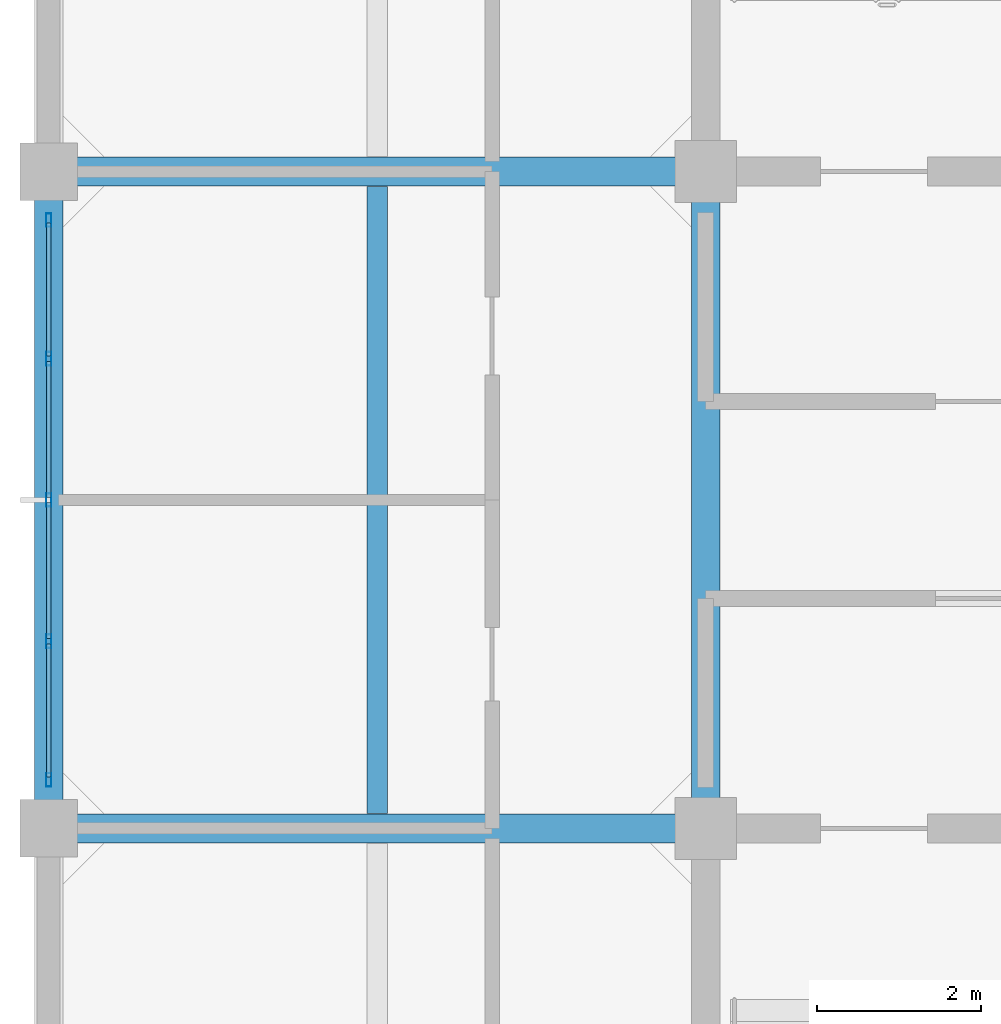
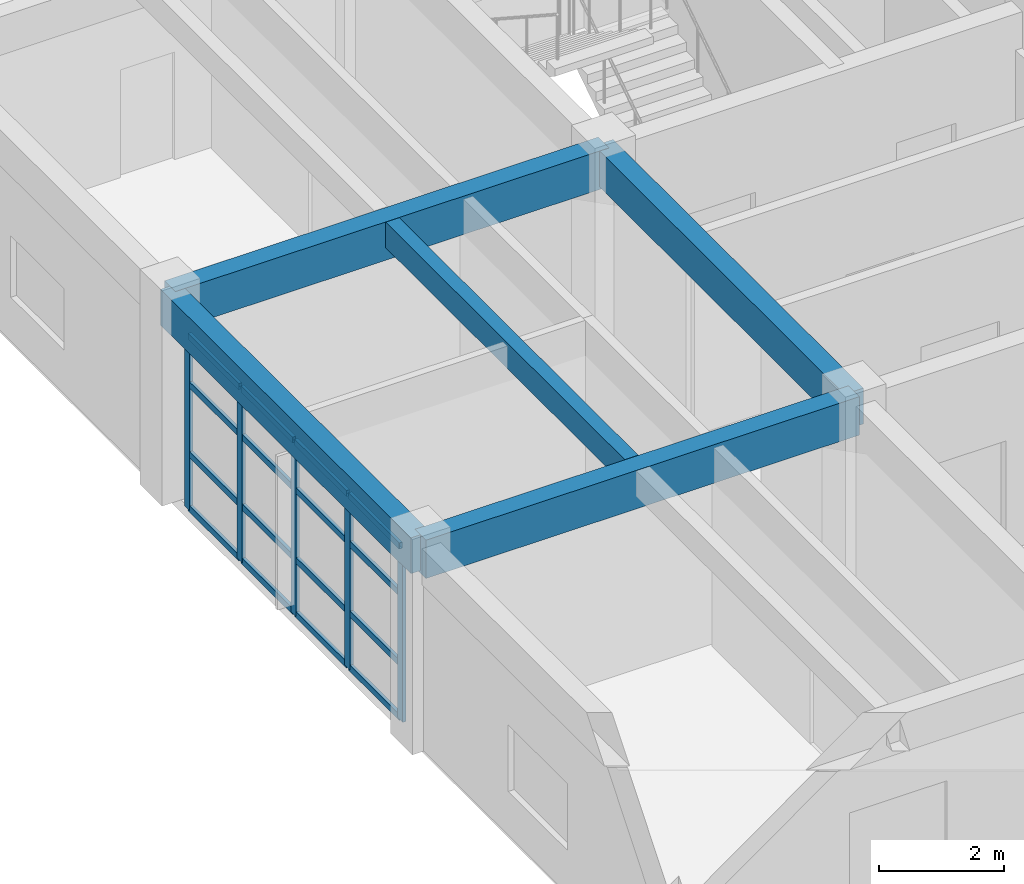
# One storey, part 7 of 19: 21 members, 5 beams, 1 element without a shape of its own.
"""IFC4 building model written with IfcOpenShell, lengths in metres."""

from ifc_helpers import new_model, si_unit, direction, frame, origin, origin_2d, place, context, subcontext, project, spatial, rectangle, hollow_rectangle, extrude, material, layer, layer_set, material_profile, profile_set, type_object, element, aggregate, save


model = new_model("IFC4")

# Units and contexts
model_context = context("Model", 3, precision=1e-05, world=origin(), true_north=direction((0.0, 1.0)))
body_context = subcontext(model_context, "Body", "Model", "MODEL_VIEW")
ifc_project = project(units=[si_unit("LENGTHUNIT", "METRE"), si_unit("AREAUNIT", "SQUARE_METRE"), si_unit("VOLUMEUNIT", "CUBIC_METRE"), si_unit("PLANEANGLEUNIT", "RADIAN"), si_unit("MASSUNIT", "GRAM", prefix="KILO")], contexts=[model_context])

# Site, building, storey
site_placement = place(None, origin())
site = spatial("IfcSite", under=ifc_project, at=site_placement, CompositionType="ELEMENT")
building_placement = place(site_placement, origin())
building = spatial("IfcBuilding", under=site, at=building_placement, Name="Canggui Botanical Conservatory", CompositionType="ELEMENT")
storey_placement = place(building_placement, frame((0.0, 0.0, 44.39990234375)))
storey = spatial("IfcBuildingStorey", under=building, at=storey_placement, Name="L11", CompositionType="ELEMENT", Elevation=44.39990234375)

# Beams
ifc_material_1 = material(Name="Concrete C35", Category="concrete")
ifc_material_profile_1 = material_profile(ifc_material_1, rectangle(XDim=0.25, YDim=0.5, at=origin_2d()), Name="RB 250x500")
ifc_profile_set_1 = profile_set([ifc_material_profile_1], Name="Concrete C35")
beam_type_1 = type_object("IfcBeamType", Name="BM-JST04", PredefinedType="JOIST", material=ifc_profile_set_1)
beam_placement = place(storey_placement, frame((150.0, 50.179931640625, 3.710205078125), z_axis=(0.0, 1.0, 0.0), x_axis=(-1.0, 0.0, 0.0)))
element("IfcBeam", 1, at=beam_placement, inside=storey, type_object=beam_type_1, Name="Secondary Floor Joist L11-1-3", PredefinedType="JOIST", context=body_context, shape_type="SweptSolid", body=[
    extrude(rectangle(XDim=0.25, YDim=0.5, at=origin_2d()), origin(), (0.0, 0.0, 1.0), 7.64013671875),
])
ifc_material_profile_2 = material_profile(ifc_material_1, rectangle(XDim=0.35009765625, YDim=0.75, at=origin_2d()), Name="RB 350x750")
ifc_profile_set_2 = profile_set([ifc_material_profile_2], Name="Concrete C35")
beam_type_2 = type_object("IfcBeamType", Name="BM-KL16", PredefinedType="BEAM", material=ifc_profile_set_2)
for number, where, z_axis, x_axis, name in (
    (2, (146.0, 50.0, 3.585205078125), (1.0, 0.0, 0.0), (0.0, 1.0, 0.0), "Frame Girder L11 Y50-1"),
    (3, (146.0, 58.0, 3.585205078125), (1.0, 0.0, 0.0), (0.0, 1.0, 0.0), "Frame Girder L11 Y58-1"),
):
    element("IfcBeam", number, at=place(storey_placement, frame(where, z_axis=z_axis, x_axis=x_axis)), inside=storey, type_object=beam_type_2, Name=name, PredefinedType="BEAM", context=body_context, shape_type="SweptSolid", body=[
        extrude(rectangle(XDim=0.35009765625, YDim=0.75, at=origin_2d()), origin(), (0.0, 0.0, 1.0), 8.0),
    ])
ifc_material_profile_3 = material_profile(ifc_material_1, rectangle(XDim=0.35009765625, YDim=0.699951171875, at=origin_2d()), Name="RB 350x700")
ifc_profile_set_3 = profile_set([ifc_material_profile_3], Name="Concrete C35")
beam_type_3 = type_object("IfcBeamType", Name="BM-KL17", PredefinedType="BEAM", material=ifc_profile_set_3)
for number, where, z_axis, x_axis, name in (
    (4, (146.0, 50.0, 3.610107421875), (0.0, 1.0, 0.0), (-1.0, 0.0, 0.0), "Frame Girder L11 X146-3"),
    (5, (154.0, 50.0, 3.610107421875), (0.0, 1.0, 0.0), (-1.0, 0.0, 0.0), "Frame Girder L11 X154-3"),
):
    element("IfcBeam", number, at=place(storey_placement, frame(where, z_axis=z_axis, x_axis=x_axis)), inside=storey, type_object=beam_type_3, Name=name, PredefinedType="BEAM", context=body_context, shape_type="SweptSolid", body=[
        extrude(rectangle(XDim=0.35009765625, YDim=0.699951171875, at=origin_2d()), origin(), (0.0, 0.0, 1.0), 8.0),
    ])

# Curtain wall, members
ifc_material_2 = material(Name="Thermally Broken Aluminium", Category="aluminium")
ifc_layer = layer(ifc_material_2, 0.1650390625, Name="Thermally Broken Aluminium", Category="aluminium")
ifc_layer_set = layer_set([ifc_layer], Name="Thermally Broken Aluminium")
curtain_wall_type = type_object("IfcCurtainWallType", Name="CW-UNIT-B", PredefinedType="USERDEFINED", material=ifc_layer_set)
curtain_wall_placement = place(storey_placement, origin())
curtain_wall = element("IfcCurtainWall", 6, at=curtain_wall_placement, inside=storey, type_object=curtain_wall_type, Name="Facade Curtain Wall CW-TWR-L11-07", ObjectType="UNITISED CURTAIN WALL", PredefinedType="USERDEFINED")
ifc_material_profile_4 = material_profile(ifc_material_2, hollow_rectangle(XDim=0.06494140625, YDim=0.1650390625, WallThickness=0.00390625, at=origin_2d()), Name="CWM 65x165x4")
ifc_profile_set_4 = profile_set([ifc_material_profile_4], Name="Thermally Broken Aluminium")
member_type_1 = type_object("IfcMemberType", Name="CWM-02", PredefinedType="MULLION", material=ifc_profile_set_4)
member_1_placement = place(storey_placement, frame((146.0, 50.592529296875, 0.0), z_axis=(0.0, 0.0, 1.0), x_axis=(-1.0, 0.0, 0.0)))
member_1 = element("IfcMember", 7, at=member_1_placement, type_object=member_type_1, Name="CW-02 mullion 1", PredefinedType="MULLION", context=body_context, shape_type="SweptSolid", body=[
    extrude(hollow_rectangle(XDim=0.06494140625, YDim=0.1650390625, WallThickness=0.00390625, at=origin_2d()), origin(), (0.0, 0.0, 1.0), 3.400146484375),
])
member_2_placement = place(storey_placement, frame((146.0, 52.280029296875, 0.0), z_axis=(0.0, 0.0, 1.0), x_axis=(-1.0, 0.0, 0.0)))
member_2 = element("IfcMember", 8, at=member_2_placement, type_object=member_type_1, Name="CW-02 mullion 2", PredefinedType="MULLION", context=body_context, shape_type="SweptSolid", body=[
    extrude(hollow_rectangle(XDim=0.06494140625, YDim=0.1650390625, WallThickness=0.00390625, at=origin_2d()), origin(), (0.0, 0.0, 1.0), 3.400146484375),
])
member_3_placement = place(storey_placement, frame((146.0, 54.0, 0.0), z_axis=(0.0, 0.0, 1.0), x_axis=(-1.0, 0.0, 0.0)))
member_3 = element("IfcMember", 9, at=member_3_placement, type_object=member_type_1, Name="CW-02 mullion 3", PredefinedType="MULLION", context=body_context, shape_type="SweptSolid", body=[
    extrude(hollow_rectangle(XDim=0.06494140625, YDim=0.1650390625, WallThickness=0.00390625, at=origin_2d()), origin(), (0.0, 0.0, 1.0), 3.400146484375),
])
member_4_placement = place(storey_placement, frame((146.0, 55.719970703125, 0.0), z_axis=(0.0, 0.0, 1.0), x_axis=(-1.0, 0.0, 0.0)))
member_4 = element("IfcMember", 10, at=member_4_placement, type_object=member_type_1, Name="CW-02 mullion 4", PredefinedType="MULLION", context=body_context, shape_type="SweptSolid", body=[
    extrude(hollow_rectangle(XDim=0.06494140625, YDim=0.1650390625, WallThickness=0.00390625, at=origin_2d()), origin(), (0.0, 0.0, 1.0), 3.400146484375),
])
member_5_placement = place(storey_placement, frame((146.0, 57.407470703125, 0.0), z_axis=(0.0, 0.0, 1.0), x_axis=(-1.0, 0.0, 0.0)))
member_5 = element("IfcMember", 11, at=member_5_placement, type_object=member_type_1, Name="CW-02 mullion 5", PredefinedType="MULLION", context=body_context, shape_type="SweptSolid", body=[
    extrude(hollow_rectangle(XDim=0.06494140625, YDim=0.1650390625, WallThickness=0.00390625, at=origin_2d()), origin(), (0.0, 0.0, 1.0), 3.400146484375),
])
ifc_material_profile_5 = material_profile(ifc_material_2, hollow_rectangle(XDim=0.06005859375, YDim=0.1201171875, WallThickness=0.00341796875, at=origin_2d()), Name="CWT 60x120x3.5")
ifc_profile_set_5 = profile_set([ifc_material_profile_5], Name="Thermally Broken Aluminium")
member_type_2 = type_object("IfcMemberType", Name="CWT-02", PredefinedType="USERDEFINED", material=ifc_profile_set_5)
member_6_placement = place(storey_placement, frame((146.0, 50.625, 0.030029296875), z_axis=(0.0, 1.0, 0.0), x_axis=(-1.0, 0.0, 0.0)))
member_6 = element("IfcMember", 12, at=member_6_placement, type_object=member_type_2, Name="CW-02 transom 1.1", ObjectType="TRANSOM", PredefinedType="USERDEFINED", context=body_context, shape_type="SweptSolid", body=[
    extrude(hollow_rectangle(XDim=0.06005859375, YDim=0.1201171875, WallThickness=0.00341796875, at=origin_2d()), origin(), (0.0, 0.0, 1.0), 1.62255859375),
])
member_7_placement = place(storey_placement, frame((146.0, 50.625, 1.088134765625), z_axis=(0.0, 1.0, 0.0), x_axis=(-1.0, 0.0, 0.0)))
member_7 = element("IfcMember", 13, at=member_7_placement, type_object=member_type_2, Name="CW-02 transom 1.2", ObjectType="TRANSOM", PredefinedType="USERDEFINED", context=body_context, shape_type="SweptSolid", body=[
    extrude(hollow_rectangle(XDim=0.06005859375, YDim=0.1201171875, WallThickness=0.00341796875, at=origin_2d()), origin(), (0.0, 0.0, 1.0), 1.62255859375),
])
member_8_placement = place(storey_placement, frame((146.0, 50.625, 2.447998046875), z_axis=(0.0, 1.0, 0.0), x_axis=(-1.0, 0.0, 0.0)))
member_8 = element("IfcMember", 14, at=member_8_placement, type_object=member_type_2, Name="CW-02 transom 1.3", ObjectType="TRANSOM", PredefinedType="USERDEFINED", context=body_context, shape_type="SweptSolid", body=[
    extrude(hollow_rectangle(XDim=0.06005859375, YDim=0.1201171875, WallThickness=0.00341796875, at=origin_2d()), origin(), (0.0, 0.0, 1.0), 1.62255859375),
])
member_9_placement = place(storey_placement, frame((146.0, 50.625, 3.3701171875), z_axis=(0.0, 1.0, 0.0), x_axis=(-1.0, 0.0, 0.0)))
member_9 = element("IfcMember", 15, at=member_9_placement, type_object=member_type_2, Name="CW-02 transom 1.4", ObjectType="TRANSOM", PredefinedType="USERDEFINED", context=body_context, shape_type="SweptSolid", body=[
    extrude(hollow_rectangle(XDim=0.06005859375, YDim=0.1201171875, WallThickness=0.00341796875, at=origin_2d()), origin(), (0.0, 0.0, 1.0), 1.62255859375),
])
member_10_placement = place(storey_placement, frame((146.0, 52.3125, 0.030029296875), z_axis=(0.0, 1.0, 0.0), x_axis=(-1.0, 0.0, 0.0)))
member_10 = element("IfcMember", 16, at=member_10_placement, type_object=member_type_2, Name="CW-02 transom 2.1", ObjectType="TRANSOM", PredefinedType="USERDEFINED", context=body_context, shape_type="SweptSolid", body=[
    extrude(hollow_rectangle(XDim=0.06005859375, YDim=0.1201171875, WallThickness=0.00341796875, at=origin_2d()), origin(), (0.0, 0.0, 1.0), 1.655029296875),
])
member_11_placement = place(storey_placement, frame((146.0, 52.3125, 1.088134765625), z_axis=(0.0, 1.0, 0.0), x_axis=(-1.0, 0.0, 0.0)))
member_11 = element("IfcMember", 17, at=member_11_placement, type_object=member_type_2, Name="CW-02 transom 2.2", ObjectType="TRANSOM", PredefinedType="USERDEFINED", context=body_context, shape_type="SweptSolid", body=[
    extrude(hollow_rectangle(XDim=0.06005859375, YDim=0.1201171875, WallThickness=0.00341796875, at=origin_2d()), origin(), (0.0, 0.0, 1.0), 1.655029296875),
])
member_12_placement = place(storey_placement, frame((146.0, 52.3125, 2.447998046875), z_axis=(0.0, 1.0, 0.0), x_axis=(-1.0, 0.0, 0.0)))
member_12 = element("IfcMember", 18, at=member_12_placement, type_object=member_type_2, Name="CW-02 transom 2.3", ObjectType="TRANSOM", PredefinedType="USERDEFINED", context=body_context, shape_type="SweptSolid", body=[
    extrude(hollow_rectangle(XDim=0.06005859375, YDim=0.1201171875, WallThickness=0.00341796875, at=origin_2d()), origin(), (0.0, 0.0, 1.0), 1.655029296875),
])
member_13_placement = place(storey_placement, frame((146.0, 52.3125, 3.3701171875), z_axis=(0.0, 1.0, 0.0), x_axis=(-1.0, 0.0, 0.0)))
member_13 = element("IfcMember", 19, at=member_13_placement, type_object=member_type_2, Name="CW-02 transom 2.4", ObjectType="TRANSOM", PredefinedType="USERDEFINED", context=body_context, shape_type="SweptSolid", body=[
    extrude(hollow_rectangle(XDim=0.06005859375, YDim=0.1201171875, WallThickness=0.00341796875, at=origin_2d()), origin(), (0.0, 0.0, 1.0), 1.655029296875),
])
member_14_placement = place(storey_placement, frame((146.0, 54.032470703125, 0.030029296875), z_axis=(0.0, 1.0, 0.0), x_axis=(-1.0, 0.0, 0.0)))
member_14 = element("IfcMember", 20, at=member_14_placement, type_object=member_type_2, Name="CW-02 transom 3.1", ObjectType="TRANSOM", PredefinedType="USERDEFINED", context=body_context, shape_type="SweptSolid", body=[
    extrude(hollow_rectangle(XDim=0.06005859375, YDim=0.1201171875, WallThickness=0.00341796875, at=origin_2d()), origin(), (0.0, 0.0, 1.0), 1.655029296875),
])
member_15_placement = place(storey_placement, frame((146.0, 54.032470703125, 1.088134765625), z_axis=(0.0, 1.0, 0.0), x_axis=(-1.0, 0.0, 0.0)))
member_15 = element("IfcMember", 21, at=member_15_placement, type_object=member_type_2, Name="CW-02 transom 3.2", ObjectType="TRANSOM", PredefinedType="USERDEFINED", context=body_context, shape_type="SweptSolid", body=[
    extrude(hollow_rectangle(XDim=0.06005859375, YDim=0.1201171875, WallThickness=0.00341796875, at=origin_2d()), origin(), (0.0, 0.0, 1.0), 1.655029296875),
])
member_16_placement = place(storey_placement, frame((146.0, 54.032470703125, 2.447998046875), z_axis=(0.0, 1.0, 0.0), x_axis=(-1.0, 0.0, 0.0)))
member_16 = element("IfcMember", 22, at=member_16_placement, type_object=member_type_2, Name="CW-02 transom 3.3", ObjectType="TRANSOM", PredefinedType="USERDEFINED", context=body_context, shape_type="SweptSolid", body=[
    extrude(hollow_rectangle(XDim=0.06005859375, YDim=0.1201171875, WallThickness=0.00341796875, at=origin_2d()), origin(), (0.0, 0.0, 1.0), 1.655029296875),
])
member_17_placement = place(storey_placement, frame((146.0, 54.032470703125, 3.3701171875), z_axis=(0.0, 1.0, 0.0), x_axis=(-1.0, 0.0, 0.0)))
member_17 = element("IfcMember", 23, at=member_17_placement, type_object=member_type_2, Name="CW-02 transom 3.4", ObjectType="TRANSOM", PredefinedType="USERDEFINED", context=body_context, shape_type="SweptSolid", body=[
    extrude(hollow_rectangle(XDim=0.06005859375, YDim=0.1201171875, WallThickness=0.00341796875, at=origin_2d()), origin(), (0.0, 0.0, 1.0), 1.655029296875),
])
member_18_placement = place(storey_placement, frame((146.0, 55.75244140625, 0.030029296875), z_axis=(0.0, 1.0, 0.0), x_axis=(-1.0, 0.0, 0.0)))
member_18 = element("IfcMember", 24, at=member_18_placement, type_object=member_type_2, Name="CW-02 transom 4.1", ObjectType="TRANSOM", PredefinedType="USERDEFINED", context=body_context, shape_type="SweptSolid", body=[
    extrude(hollow_rectangle(XDim=0.06005859375, YDim=0.1201171875, WallThickness=0.00341796875, at=origin_2d()), origin(), (0.0, 0.0, 1.0), 1.62255859375),
])
member_19_placement = place(storey_placement, frame((146.0, 55.75244140625, 1.088134765625), z_axis=(0.0, 1.0, 0.0), x_axis=(-1.0, 0.0, 0.0)))
member_19 = element("IfcMember", 25, at=member_19_placement, type_object=member_type_2, Name="CW-02 transom 4.2", ObjectType="TRANSOM", PredefinedType="USERDEFINED", context=body_context, shape_type="SweptSolid", body=[
    extrude(hollow_rectangle(XDim=0.06005859375, YDim=0.1201171875, WallThickness=0.00341796875, at=origin_2d()), origin(), (0.0, 0.0, 1.0), 1.62255859375),
])
member_20_placement = place(storey_placement, frame((146.0, 55.75244140625, 2.447998046875), z_axis=(0.0, 1.0, 0.0), x_axis=(-1.0, 0.0, 0.0)))
member_20 = element("IfcMember", 26, at=member_20_placement, type_object=member_type_2, Name="CW-02 transom 4.3", ObjectType="TRANSOM", PredefinedType="USERDEFINED", context=body_context, shape_type="SweptSolid", body=[
    extrude(hollow_rectangle(XDim=0.06005859375, YDim=0.1201171875, WallThickness=0.00341796875, at=origin_2d()), origin(), (0.0, 0.0, 1.0), 1.62255859375),
])
member_21_placement = place(storey_placement, frame((146.0, 55.75244140625, 3.3701171875), z_axis=(0.0, 1.0, 0.0), x_axis=(-1.0, 0.0, 0.0)))
member_21 = element("IfcMember", 27, at=member_21_placement, type_object=member_type_2, Name="CW-02 transom 4.4", ObjectType="TRANSOM", PredefinedType="USERDEFINED", context=body_context, shape_type="SweptSolid", body=[
    extrude(hollow_rectangle(XDim=0.06005859375, YDim=0.1201171875, WallThickness=0.00341796875, at=origin_2d()), origin(), (0.0, 0.0, 1.0), 1.62255859375),
])
aggregate(curtain_wall, [member_1, member_2, member_3, member_4, member_5, member_6, member_7, member_8, member_9, member_10, member_11, member_12, member_13, member_14, member_15, member_16, member_17, member_18, member_19, member_20, member_21])

save(model, "model.ifc")
